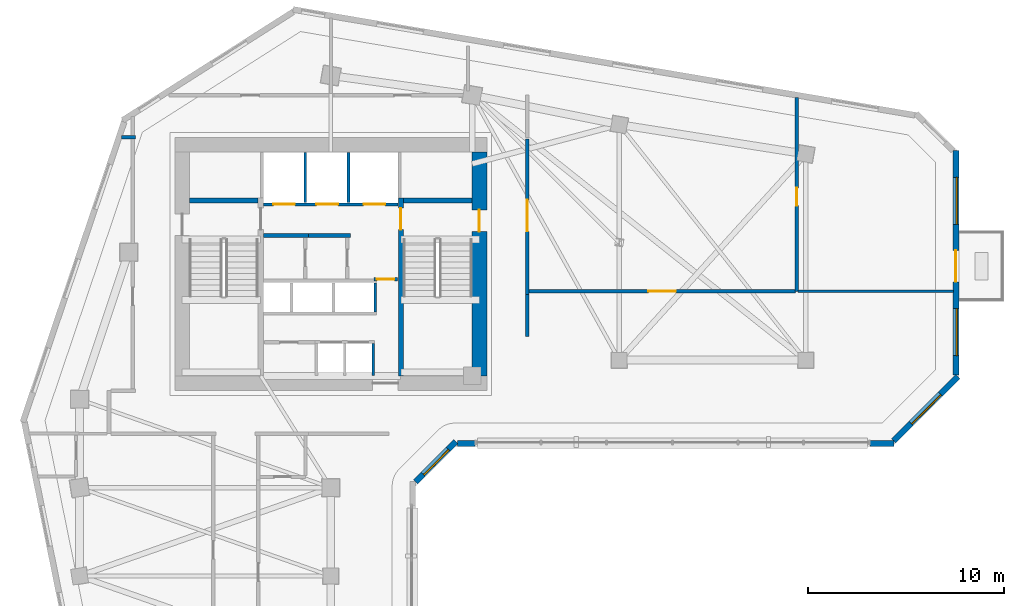
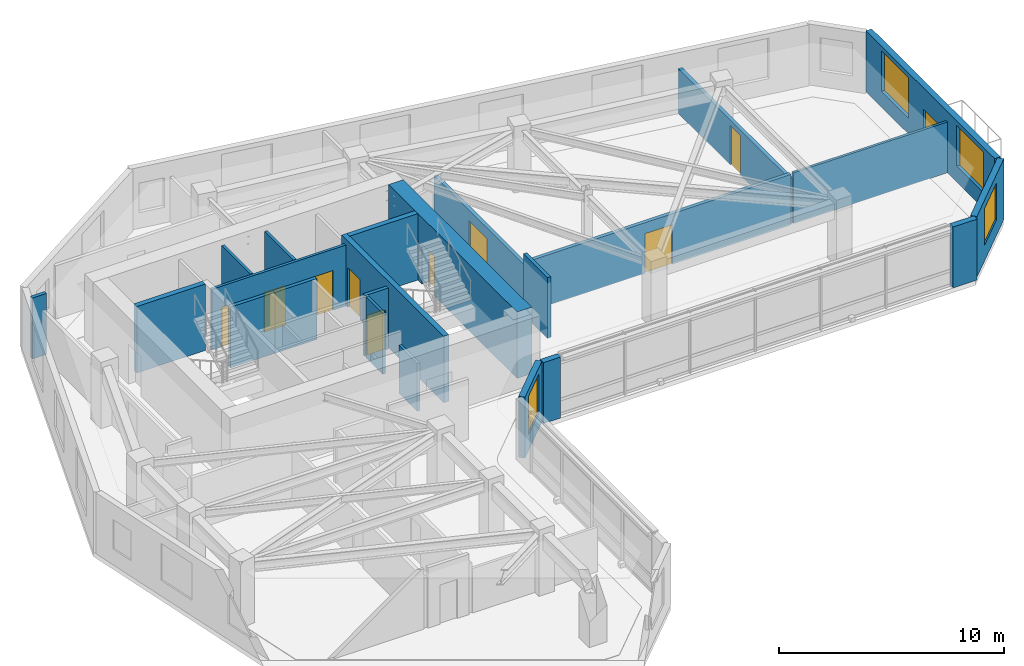
# One storey, part 6 of 10: 23 walls, 10 doors, 4 windows, 14 openings.
"""IFC4 building model written with IfcOpenShell, lengths in metres."""

from ifc_helpers import new_model, si_unit, direction, frame, frame_2d, origin, place, context, subcontext, project, spatial, rectangle, extrude, source, transform, mapped, material, layer, layer_set, type_object, element, fill, save


model = new_model("IFC4")

# Units and contexts
model_context = context("Model", 3, precision=1e-05, world=origin(), true_north=direction((0.0, 1.0)))
body_context = subcontext(model_context, "Body", "Model", "MODEL_VIEW")
ifc_project = project(units=[si_unit("LENGTHUNIT", "METRE"), si_unit("AREAUNIT", "SQUARE_METRE"), si_unit("VOLUMEUNIT", "CUBIC_METRE"), si_unit("PLANEANGLEUNIT", "RADIAN"), si_unit("MASSUNIT", "GRAM", prefix="KILO")], contexts=[model_context])

# Site, building, storey
site_placement = place(None, origin())
site = spatial("IfcSite", under=ifc_project, at=site_placement, CompositionType="ELEMENT")
building_placement = place(site_placement, origin())
building = spatial("IfcBuilding", under=site, at=building_placement, Name="Calvemar Wedge Station Tower", CompositionType="ELEMENT")
storey_placement = place(building_placement, frame((0.0, 0.0, 168.199951171875)))
storey = spatial("IfcBuildingStorey", under=building, at=storey_placement, Name="L42", CompositionType="ELEMENT", Elevation=168.199951171875)

# Wall, opening, door
ifc_material_1 = material(Name="Concrete C50", Category="concrete")
ifc_layer_1 = layer(ifc_material_1, 0.260009765625)
ifc_layer_set_1 = layer_set([ifc_layer_1], Name="Concrete C50")
wall_type_1 = type_object("IfcWallType", Name="SW-CORE-260", PredefinedType="SHEAR", material=ifc_layer_set_1)
wall_1_placement = place(storey_placement, frame((27.3701171875, 34.199951171875, 0.0), z_axis=(0.0, 0.0, 1.0), x_axis=(0.0, 1.0, 0.0)))
wall_1 = element("IfcWall", 1, at=wall_1_placement, inside=storey, type_object=wall_type_1, Name="Storey L42 Core Shear Wall SPINE-E", PredefinedType="SHEAR", context=body_context, shape_type="SweptSolid", body=[
    extrude(rectangle(XDim=9.06005859375, YDim=0.260009765625, at=frame_2d((4.530029296875, 0.0))), origin(), (0.0, 0.0, 1.0), 3.60009765625),
])
shared_shape_1 = source(origin(), body_context, "Body", "SweptSolid", [
    extrude(rectangle(XDim=1.10009765625, YDim=2.14990234375, at=frame_2d((0.550048828125, 1.074951171875))), frame((0.0, 0.14013671875, 0.0), z_axis=(0.0, -1.0, 0.0), x_axis=(1.0, 0.0, 0.0)), (0.0, 0.0, 1.0), 0.280029296875),
])
opening_1_placement = place(wall_1_placement, frame((7.449951171875, 0.0, 0.0)))
opening_1 = element("IfcOpeningElement", 2, at=opening_1_placement, cuts=wall_1, Name="Opening FD-90", PredefinedType="OPENING", context=body_context, shape_type="MappedRepresentation", body=[
    mapped(shared_shape_1, transform((0.0, 0.0, 0.0), scale=1.0)),
])
ifc_material_2 = material(Name="Galvanized fire-rated steel door leaf P-90", Category="steel")
door_type_1 = type_object("IfcDoorType", Name="DR-FD90-1100", OperationType="NOTDEFINED", PredefinedType="DOOR", material=ifc_material_2)
shared_shape_2 = source(origin(), body_context, "Body", "SweptSolid", [
    extrude(rectangle(XDim=1.10009765625, YDim=2.14990234375, at=frame_2d((0.550048828125, 1.074951171875))), frame((0.0, 0.02490234375, 0.0), z_axis=(0.0, -1.0, 0.0), x_axis=(1.0, 0.0, 0.0)), (0.0, 0.0, 1.0), 0.050048828125),
])
door_1_placement = place(opening_1_placement, origin())
door_1 = element("IfcDoor", 3, at=door_1_placement, inside=storey, type_object=door_type_1, Name="L42 FF Lobby to Stair ST-C2 Door", OperationType="SINGLE_SWING_RIGHT", OverallHeight=2.14990234375, OverallWidth=1.10009765625, PredefinedType="DOOR", context=body_context, shape_type="MappedRepresentation", body=[
    mapped(shared_shape_2, transform((0.0, 0.0, 0.0), scale=1.0)),
])
fill(opening_1, door_1)

# Walls
for number, where, z_axis, x_axis, name in (
    (4, (16.60009765625, 43.1298828125, 0.0), (0.0, 0.0, 1.0), (1.0, 0.0, 0.0), "Storey L42 Core Shear Wall STC1-N"),
    (5, (27.5, 43.1298828125, 0.0), (0.0, 0.0, 1.0), (1.0, 0.0, 0.0), "Storey L42 Core Shear Wall STC2-N"),
):
    element("IfcWall", number, at=place(storey_placement, frame(where, z_axis=z_axis, x_axis=x_axis)), inside=storey, type_object=wall_type_1, Name=name, PredefinedType="SHEAR", context=body_context, shape_type="SweptSolid", body=[
        extrude(rectangle(XDim=3.5, YDim=0.260009765625, at=frame_2d((1.75, 0.0))), origin(), (0.0, 0.0, 1.0), 3.60009765625),
    ])

# Wall, opening, door
ifc_material_3 = material(Name="Concrete C70", Category="concrete")
ifc_layer_2 = layer(ifc_material_3, 0.75)
ifc_layer_set_2 = layer_set([ifc_layer_2], Name="Concrete C70")
wall_type_2 = type_object("IfcWallType", Name="SW-CORE-750", PredefinedType="SHEAR", material=ifc_layer_set_2)
wall_2_placement = place(storey_placement, frame((31.375, 34.199951171875, 0.0), z_axis=(0.0, 0.0, 1.0), x_axis=(0.0, 1.0, 0.0)))
wall_2 = element("IfcWall", 6, at=wall_2_placement, inside=storey, type_object=wall_type_2, Name="Storey L42 Core Shear Wall E", PredefinedType="SHEAR", context=body_context, shape_type="SweptSolid", body=[
    extrude(rectangle(XDim=11.400146484375, YDim=0.75, at=frame_2d((5.7001953125, 0.0))), origin(), (0.0, 0.0, 1.0), 3.60009765625),
])
shared_shape_3 = source(origin(), body_context, "Body", "SweptSolid", [
    extrude(rectangle(XDim=1.10009765625, YDim=2.14990234375, at=frame_2d((0.550048828125, 1.074951171875))), frame((0.0, 0.385009765625, 0.0), z_axis=(0.0, -1.0, 0.0), x_axis=(1.0, 0.0, 0.0)), (0.0, 0.0, 1.0), 0.77001953125),
])
opening_2_placement = place(wall_2_placement, frame((7.35009765625, 0.0, 0.0)))
opening_2 = element("IfcOpeningElement", 7, at=opening_2_placement, cuts=wall_2, Name="Opening FD-90", PredefinedType="OPENING", context=body_context, shape_type="MappedRepresentation", body=[
    mapped(shared_shape_3, transform((0.0, 0.0, 0.0), scale=1.0)),
])
door_2_placement = place(opening_2_placement, origin())
door_2 = element("IfcDoor", 8, at=door_2_placement, inside=storey, type_object=door_type_1, Name="L42 East Corridor to Exit Stair ST-C2 Door", OperationType="SINGLE_SWING_RIGHT", OverallHeight=2.14990234375, OverallWidth=1.10009765625, PredefinedType="DOOR", context=body_context, shape_type="MappedRepresentation", body=[
    mapped(shared_shape_2, transform((0.0, 0.0, 0.0), scale=1.0)),
])
fill(opening_2, door_2)

# Walls
ifc_material_4 = material(Name="Double-stud fire-rated corridor partition")
ifc_layer_3 = layer(ifc_material_4, 0.179931640625)
ifc_layer_set_3 = layer_set([ifc_layer_3], Name="Double-stud fire-rated corridor partition")
wall_type_3 = type_object("IfcWallType", Name="W-CORR-180", PredefinedType="PARTITIONING", material=ifc_layer_set_3)
wall_3_placement = place(storey_placement, frame((22.659912109375, 41.35009765625, 0.0), z_axis=(0.0, 0.0, 1.0), x_axis=(-1.0, 0.0, 0.0)))
element("IfcWall", 9, at=wall_3_placement, inside=storey, type_object=wall_type_3, Name="Storey L42 Interior Partition WL-L42-001", PredefinedType="PARTITIONING", context=body_context, shape_type="SweptSolid", body=[
    extrude(rectangle(XDim=2.280029296875, YDim=0.179931640625, at=frame_2d((1.14013671875, 0.0))), origin(), (0.0, 0.0, 1.0), 3.300048828125),
])
wall_4_placement = place(storey_placement, frame((24.81005859375, 41.35009765625, 0.0), z_axis=(0.0, 0.0, 1.0), x_axis=(-1.0, 0.0, 0.0)))
element("IfcWall", 10, at=wall_4_placement, inside=storey, type_object=wall_type_3, Name="Storey L42 Interior Partition WL-L42-002", PredefinedType="PARTITIONING", context=body_context, shape_type="SweptSolid", body=[
    extrude(rectangle(XDim=2.14794921875, YDim=0.179931640625, at=frame_2d((1.073974609375, 0.0))), origin(), (0.0, 0.0, 1.0), 3.300048828125),
])

# Wall, opening, door
wall_5_placement = place(storey_placement, frame((27.199951171875, 39.1298828125, 0.0), z_axis=(0.0, 0.0, 1.0), x_axis=(-1.0, 0.0, 0.0)))
wall_5 = element("IfcWall", 11, at=wall_5_placement, inside=storey, type_object=wall_type_3, Name="Storey L42 Interior Partition WL-L42-005", PredefinedType="PARTITIONING", context=body_context, shape_type="SweptSolid", body=[
    extrude(rectangle(XDim=1.2099609375, YDim=0.179931640625, at=frame_2d((0.60498046875, 0.0))), origin(), (0.0, 0.0, 1.0), 3.300048828125),
])
shared_shape_4 = source(origin(), body_context, "Body", "SweptSolid", [
    extrude(rectangle(XDim=0.89990234375, YDim=2.14990234375, at=frame_2d((0.449951171875, 1.074951171875))), frame((0.0, 0.10009765625, 0.0), z_axis=(0.0, -1.0, 0.0), x_axis=(1.0, 0.0, 0.0)), (0.0, 0.0, 1.0), 0.199951171875),
])
opening_3_placement = place(wall_5_placement, frame((0.155029296875, 0.0, 0.0)))
opening_3 = element("IfcOpeningElement", 12, at=opening_3_placement, cuts=wall_5, Name="Opening FD-60", PredefinedType="OPENING", context=body_context, shape_type="MappedRepresentation", body=[
    mapped(shared_shape_4, transform((0.0, 0.0, 0.0), scale=1.0)),
])
ifc_material_5 = material(Name="Fire-rated acoustic timber-core entrance door EI 60", Category="wood")
door_type_2 = type_object("IfcDoorType", Name="DR-FD60-900", OperationType="NOTDEFINED", PredefinedType="DOOR", material=ifc_material_5)
shared_shape_5 = source(origin(), body_context, "Body", "SweptSolid", [
    extrude(rectangle(XDim=0.89990234375, YDim=2.14990234375, at=frame_2d((0.449951171875, 1.074951171875))), frame((0.0, 0.02490234375, 0.0), z_axis=(0.0, -1.0, 0.0), x_axis=(1.0, 0.0, 0.0)), (0.0, 0.0, 1.0), 0.050048828125),
])
door_3_placement = place(opening_3_placement, origin())
door_3 = element("IfcDoor", 13, at=door_3_placement, inside=storey, type_object=door_type_2, Name="L42 Core Service Lobby Door", OperationType="SINGLE_SWING_LEFT", OverallHeight=2.14990234375, OverallWidth=0.89990234375, PredefinedType="DOOR", context=body_context, shape_type="MappedRepresentation", body=[
    mapped(shared_shape_5, transform((0.0, 0.0, 0.0), scale=1.0)),
])
fill(opening_3, door_3)

# Wall
wall_6_placement = place(storey_placement, frame((13.860107421875, 46.35009765625, 0.0), z_axis=(0.0, 0.0, 1.0), x_axis=(-1.0, 0.0, 0.0)))
element("IfcWall", 14, at=wall_6_placement, inside=storey, type_object=wall_type_3, Name="Storey L42 Interior Partition WL-L42-013", PredefinedType="PARTITIONING", context=body_context, shape_type="SweptSolid", body=[
    extrude(rectangle(XDim=0.73486328125, YDim=0.179931640625, at=frame_2d((0.367431640625, 0.0))), origin(), (0.0, 0.0, 1.0), 3.300048828125),
])

# Wall, opening, door
wall_7_placement = place(storey_placement, frame((33.800048828125, 46.256103515625, 0.0), z_axis=(0.0, 0.0, 1.0), x_axis=(0.0, -1.0, 0.0)))
wall_7 = element("IfcWall", 15, at=wall_7_placement, inside=storey, type_object=wall_type_3, Name="Storey L42 Interior Partition WL-L42-017", PredefinedType="PARTITIONING", context=body_context, shape_type="SweptSolid", body=[
    extrude(rectangle(XDim=7.916015625, YDim=0.179931640625, at=frame_2d((3.9580078125, 0.0))), origin(), (0.0, 0.0, 1.0), 2.738037109375),
])
shared_shape_6 = source(origin(), body_context, "Body", "SweptSolid", [
    extrude(rectangle(XDim=1.60009765625, YDim=2.14990234375, at=frame_2d((0.800048828125, 1.074951171875))), frame((0.0, 0.10009765625, 0.0), z_axis=(0.0, -1.0, 0.0), x_axis=(1.0, 0.0, 0.0)), (0.0, 0.0, 1.0), 0.199951171875),
])
opening_4_placement = place(wall_7_placement, frame((3.0966796875, 0.0, 0.0)))
opening_4 = element("IfcOpeningElement", 16, at=opening_4_placement, cuts=wall_7, Name="Opening DD-160", PredefinedType="OPENING", context=body_context, shape_type="MappedRepresentation", body=[
    mapped(shared_shape_6, transform((0.0, 0.0, 0.0), scale=1.0)),
])
ifc_material_6 = material(Name="Double-leaf fire-rated lobby door EI 60")
door_type_3 = type_object("IfcDoorType", Name="DR-DBL-1600", OperationType="DOUBLE_DOOR_SINGLE_SWING", PredefinedType="DOOR", material=ifc_material_6)
shared_shape_7 = source(origin(), body_context, "Body", "SweptSolid", [
    extrude(rectangle(XDim=1.60009765625, YDim=2.14990234375, at=frame_2d((0.800048828125, 1.074951171875))), frame((0.0, 0.02490234375, 0.0), z_axis=(0.0, -1.0, 0.0), x_axis=(1.0, 0.0, 0.0)), (0.0, 0.0, 1.0), 0.050048828125),
])
door_4_placement = place(opening_4_placement, origin())
door_4 = element("IfcDoor", 17, at=door_4_placement, inside=storey, type_object=door_type_3, Name="L42 Presidential Sky Ballroom Door", OperationType="SINGLE_SWING_RIGHT", OverallHeight=2.14990234375, OverallWidth=1.60009765625, PredefinedType="DOOR", context=body_context, shape_type="MappedRepresentation", body=[
    mapped(shared_shape_7, transform((0.0, 0.0, 0.0), scale=1.0)),
])
fill(opening_4, door_4)

# Wall
wall_8_placement = place(storey_placement, frame((33.800048828125, 38.337890625, 0.0), z_axis=(0.0, 0.0, 1.0), x_axis=(0.0, -1.0, 0.0)))
element("IfcWall", 18, at=wall_8_placement, inside=storey, type_object=wall_type_3, Name="Storey L42 Interior Partition WL-L42-018", PredefinedType="PARTITIONING", context=body_context, shape_type="SweptSolid", body=[
    extrude(rectangle(XDim=2.137939453125, YDim=0.179931640625, at=frame_2d((1.06884765625, 0.0))), origin(), (0.0, 0.0, 1.0), 3.300048828125),
])

# Wall, opening, door
wall_9_placement = place(storey_placement, frame((47.534912109375, 48.388671875, 0.0), z_axis=(0.0, 0.0, 1.0), x_axis=(0.0, -1.0, 0.0)))
wall_9 = element("IfcWall", 19, at=wall_9_placement, inside=storey, type_object=wall_type_3, Name="Storey L42 Interior Partition WL-L42-022", PredefinedType="PARTITIONING", context=body_context, shape_type="SweptSolid", body=[
    extrude(rectangle(XDim=9.888671875, YDim=0.179931640625, at=frame_2d((4.9443359375, 0.0))), origin(), (0.0, 0.0, 1.0), 2.442138671875),
])
opening_5_placement = place(wall_9_placement, frame((4.61474609375, 0.0, 0.0)))
opening_5 = element("IfcOpeningElement", 20, at=opening_5_placement, cuts=wall_9, Name="Opening FD-60", PredefinedType="OPENING", context=body_context, shape_type="MappedRepresentation", body=[
    mapped(shared_shape_4, transform((0.0, 0.0, 0.0), scale=1.0)),
])
door_5_placement = place(opening_5_placement, origin())
door_5 = element("IfcDoor", 21, at=door_5_placement, inside=storey, type_object=door_type_2, Name="L42 Hotel Banquet Kitchen Door", OperationType="SINGLE_SWING_LEFT", OverallHeight=2.14990234375, OverallWidth=0.89990234375, PredefinedType="DOOR", context=body_context, shape_type="MappedRepresentation", body=[
    mapped(shared_shape_5, transform((0.0, 0.0, 0.0), scale=1.0)),
])
fill(opening_5, door_5)

wall_10_placement = place(storey_placement, frame((47.468505859375, 38.5, 0.0), z_axis=(0.0, 0.0, 1.0), x_axis=(-1.0, 0.0, 0.0)))
wall_10 = element("IfcWall", 22, at=wall_10_placement, inside=storey, type_object=wall_type_3, Name="Storey L42 Interior Partition WL-L42-023", PredefinedType="PARTITIONING", context=body_context, shape_type="SweptSolid", body=[
    extrude(rectangle(XDim=13.574462890625, YDim=0.179931640625, at=frame_2d((6.787109375, 0.0))), origin(), (0.0, 0.0, 1.0), 2.738037109375),
])
shared_shape_8 = source(origin(), body_context, "Body", "SweptSolid", [
    extrude(rectangle(XDim=1.39990234375, YDim=2.14990234375, at=frame_2d((0.699951171875, 1.074951171875))), frame((0.0, 0.10009765625, 0.0), z_axis=(0.0, -1.0, 0.0), x_axis=(1.0, 0.0, 0.0)), (0.0, 0.0, 1.0), 0.199951171875),
])
opening_6_placement = place(wall_10_placement, frame((6.08740234375, 0.0, 0.0)))
opening_6 = element("IfcOpeningElement", 23, at=opening_6_placement, cuts=wall_10, Name="Opening DD-140", PredefinedType="OPENING", context=body_context, shape_type="MappedRepresentation", body=[
    mapped(shared_shape_8, transform((0.0, 0.0, 0.0), scale=1.0)),
])
ifc_material_7 = material(Name="Double-leaf corridor acoustic fire door EI 60")
door_type_4 = type_object("IfcDoorType", Name="DR-DBL-1400", OperationType="DOUBLE_DOOR_SINGLE_SWING", PredefinedType="DOOR", material=ifc_material_7)
shared_shape_9 = source(origin(), body_context, "Body", "SweptSolid", [
    extrude(rectangle(XDim=1.39990234375, YDim=2.14990234375, at=frame_2d((0.699951171875, 1.074951171875))), frame((0.0, 0.02490234375, 0.0), z_axis=(0.0, -1.0, 0.0), x_axis=(1.0, 0.0, 0.0)), (0.0, 0.0, 1.0), 0.050048828125),
])
door_6_placement = place(opening_6_placement, origin())
door_6 = element("IfcDoor", 24, at=door_6_placement, inside=storey, type_object=door_type_4, Name="L42 Presidential Cocktail Lounge Door", OperationType="SINGLE_SWING_RIGHT", OverallHeight=2.14990234375, OverallWidth=1.39990234375, PredefinedType="DOOR", context=body_context, shape_type="MappedRepresentation", body=[
    mapped(shared_shape_9, transform((0.0, 0.0, 0.0), scale=1.0)),
])
fill(opening_6, door_6)

# Wall, opening, window
ifc_material_8 = material(Name="Precast concrete C45", Category="concrete")
ifc_layer_4 = layer(ifc_material_8, 0.300048828125)
ifc_layer_set_4 = layer_set([ifc_layer_4], Name="Precast concrete C45")
wall_type_4 = type_object("IfcWallType", Name="W-EXT-GFRC-300", PredefinedType="SOLIDWALL", material=ifc_layer_set_4)
wall_11_placement = place(storey_placement, frame((28.115966796875, 28.7919921875, 0.0), z_axis=(0.0, 0.0, 1.0), x_axis=(0.707064797706, 0.707148762175, 0.0)))
wall_11 = element("IfcWall", 25, at=wall_11_placement, inside=storey, type_object=wall_type_4, Name="Storey L42 Bronze GFRC Exterior Wall 5", PredefinedType="SOLIDWALL", context=body_context, shape_type="SweptSolid", body=[
    extrude(rectangle(XDim=2.90771484375, YDim=0.300048828125, at=frame_2d((1.453857421875, 0.0))), origin(), (0.0, 0.0, 1.0), 3.300048828125),
])
shared_shape_10 = source(origin(), body_context, "Body", "SweptSolid", [
    extrude(rectangle(XDim=1.800048828125, YDim=2.10009765625, at=frame_2d((0.89990234375, 1.050048828125))), frame((0.0, 0.16015625, 0.0), z_axis=(0.0, -1.0, 0.0), x_axis=(1.0, 0.0, 0.0)), (0.0, 0.0, 1.0), 0.320068359375),
])
opening_7_placement = place(wall_11_placement, frame((0.553955078125, 0.0, 0.85009765625)))
opening_7 = element("IfcOpeningElement", 26, at=opening_7_placement, cuts=wall_11, Name="Opening W2", PredefinedType="OPENING", context=body_context, shape_type="MappedRepresentation", body=[
    mapped(shared_shape_10, transform((0.0, 0.0, 0.0), scale=1.0)),
])
ifc_material_9 = material(Name="Low-E laminated insulated glass", Category="glass")
window_type_1 = type_object("IfcWindowType", Name="WIN-EXT-2", PartitioningType="SINGLE_PANEL", PredefinedType="WINDOW", material=ifc_material_9)
shared_shape_11 = source(origin(), body_context, "Body", "SweptSolid", [
    extrude(rectangle(XDim=1.800048828125, YDim=2.10009765625, at=frame_2d((0.89990234375, 1.050048828125))), frame((0.0, -0.014892578125, 0.0), z_axis=(0.0, -1.0, 0.0), x_axis=(1.0, 0.0, 0.0)), (0.0, 0.0, 1.0), 0.06005859375),
])
window_1_placement = place(opening_7_placement, origin())
window_1 = element("IfcWindow", 27, at=window_1_placement, inside=storey, type_object=window_type_1, Name="Storey L42 Recessed Window 5.1", OverallHeight=2.10009765625, OverallWidth=1.800048828125, PartitioningType="SINGLE_PANEL", PredefinedType="WINDOW", context=body_context, shape_type="MappedRepresentation", body=[
    mapped(shared_shape_11, transform((0.0, 0.0, 0.0), scale=1.0)),
])
fill(opening_7, window_1)

# Walls
wall_12_placement = place(storey_placement, frame((30.260986328125, 30.741943359375, 0.0), z_axis=(0.0, 0.0, 1.0), x_axis=(1.0, 0.0, 0.0)))
element("IfcWall", 28, at=wall_12_placement, inside=storey, type_object=wall_type_4, Name="Storey L42 Bronze GFRC Corner Pier 6A", PredefinedType="SOLIDWALL", context=body_context, shape_type="SweptSolid", body=[
    extrude(rectangle(XDim=0.88232421875, YDim=0.300048828125, at=frame_2d((0.441162109375, 0.0))), origin(), (0.0, 0.0, 1.0), 3.300048828125),
])
wall_13_placement = place(storey_placement, frame((51.260498046875, 30.741943359375, 0.0), z_axis=(0.0, 0.0, 1.0), x_axis=(1.0, 0.0, 0.0)))
element("IfcWall", 29, at=wall_13_placement, inside=storey, type_object=wall_type_4, Name="Storey L42 Bronze GFRC Corner Pier 6B", PredefinedType="SOLIDWALL", context=body_context, shape_type="SweptSolid", body=[
    extrude(rectangle(XDim=1.227294921875, YDim=0.300048828125, at=frame_2d((0.61376953125, 0.0))), origin(), (0.0, 0.0, 1.0), 3.300048828125),
])

# Wall, opening, window
wall_14_placement = place(storey_placement, frame((52.475830078125, 30.8798828125, 0.0), z_axis=(0.0, 0.0, 1.0), x_axis=(0.707106781187, 0.707106781187, 0.0)))
wall_14 = element("IfcWall", 30, at=wall_14_placement, inside=storey, type_object=wall_type_4, Name="Storey L42 Bronze GFRC Exterior Wall 7", PredefinedType="SOLIDWALL", context=body_context, shape_type="SweptSolid", body=[
    extrude(rectangle(XDim=4.638916015625, YDim=0.300048828125, at=frame_2d((2.3193359375, 0.0))), origin(), (0.0, 0.0, 1.0), 3.300048828125),
])
shared_shape_12 = source(origin(), body_context, "Body", "SweptSolid", [
    extrude(rectangle(XDim=2.10009765625, YDim=2.0, at=frame_2d((1.050048828125, 1.0))), frame((0.0, 0.16015625, 0.0), z_axis=(0.0, -1.0, 0.0), x_axis=(1.0, 0.0, 0.0)), (0.0, 0.0, 1.0), 0.320068359375),
])
opening_8_placement = place(wall_14_placement, frame((1.26904296875, 0.0, 0.85009765625)))
opening_8 = element("IfcOpeningElement", 31, at=opening_8_placement, cuts=wall_14, Name="Opening W4", PredefinedType="OPENING", context=body_context, shape_type="MappedRepresentation", body=[
    mapped(shared_shape_12, transform((0.0, 0.0, 0.0), scale=1.0)),
])
window_type_2 = type_object("IfcWindowType", Name="WIN-EXT-4", PartitioningType="SINGLE_PANEL", PredefinedType="WINDOW", material=ifc_material_9)
shared_shape_13 = source(origin(), body_context, "Body", "SweptSolid", [
    extrude(rectangle(XDim=2.10009765625, YDim=2.0, at=frame_2d((1.050048828125, 1.0))), frame((0.0, -0.014892578125, 0.0), z_axis=(0.0, -1.0, 0.0), x_axis=(1.0, 0.0, 0.0)), (0.0, 0.0, 1.0), 0.06005859375),
])
window_2_placement = place(opening_8_placement, origin())
window_2 = element("IfcWindow", 32, at=window_2_placement, inside=storey, type_object=window_type_2, Name="Storey L42 Recessed Window 7.1", OverallHeight=2.0, OverallWidth=2.10009765625, PartitioningType="SINGLE_PANEL", PredefinedType="WINDOW", context=body_context, shape_type="MappedRepresentation", body=[
    mapped(shared_shape_13, transform((0.0, 0.0, 0.0), scale=1.0)),
])
fill(opening_8, window_2)

# Wall, openings, windows, door
wall_15_placement = place(storey_placement, frame((55.64990234375, 34.249267578125, 0.0), z_axis=(0.0, 0.0, 1.0), x_axis=(0.0, 1.0, 0.0)))
wall_15 = element("IfcWall", 33, at=wall_15_placement, inside=storey, type_object=wall_type_4, Name="Storey L42 Bronze GFRC Exterior Wall 8", PredefinedType="SOLIDWALL", context=body_context, shape_type="SweptSolid", body=[
    extrude(rectangle(XDim=11.4306640625, YDim=0.300048828125, at=frame_2d((5.71533203125, 0.0))), origin(), (0.0, 0.0, 1.0), 3.300048828125),
])
shared_shape_14 = source(origin(), body_context, "Body", "SweptSolid", [
    extrude(rectangle(XDim=1.60009765625, YDim=2.14990234375, at=frame_2d((0.800048828125, 1.074951171875))), frame((0.0, 0.16015625, 0.0), z_axis=(0.0, -1.0, 0.0), x_axis=(1.0, 0.0, 0.0)), (0.0, 0.0, 1.0), 0.320068359375),
])
opening_9_placement = place(wall_15_placement, frame((4.742919921875, 0.0, 0.0)))
opening_9 = element("IfcOpeningElement", 34, at=opening_9_placement, cuts=wall_15, Name="Opening DT1", PredefinedType="OPENING", context=body_context, shape_type="MappedRepresentation", body=[
    mapped(shared_shape_14, transform((0.0, 0.0, 0.0), scale=1.0)),
])
shared_shape_15 = source(origin(), body_context, "Body", "SweptSolid", [
    extrude(rectangle(XDim=2.39990234375, YDim=2.199951171875, at=frame_2d((1.199951171875, 1.10009765625))), frame((0.0, 0.16015625, 0.0), z_axis=(0.0, -1.0, 0.0), x_axis=(1.0, 0.0, 0.0)), (0.0, 0.0, 1.0), 0.320068359375),
])
opening_10_placement = place(wall_15_placement, frame((0.97509765625, 0.0, 0.85009765625)))
opening_10 = element("IfcOpeningElement", 35, at=opening_10_placement, cuts=wall_15, Name="Opening W1", PredefinedType="OPENING", context=body_context, shape_type="MappedRepresentation", body=[
    mapped(shared_shape_15, transform((0.0, 0.0, 0.0), scale=1.0)),
])
opening_11_placement = place(wall_15_placement, frame((7.6669921875, 0.0, 0.85009765625)))
opening_11 = element("IfcOpeningElement", 36, at=opening_11_placement, cuts=wall_15, Name="Opening W1", PredefinedType="OPENING", context=body_context, shape_type="MappedRepresentation", body=[
    mapped(shared_shape_15, transform((0.0, 0.0, 0.0), scale=1.0)),
])
window_type_3 = type_object("IfcWindowType", Name="WIN-EXT-1", PartitioningType="SINGLE_PANEL", PredefinedType="WINDOW", material=ifc_material_9)
shared_shape_16 = source(origin(), body_context, "Body", "SweptSolid", [
    extrude(rectangle(XDim=2.39990234375, YDim=2.199951171875, at=frame_2d((1.199951171875, 1.10009765625))), frame((0.0, -0.014892578125, 0.0), z_axis=(0.0, -1.0, 0.0), x_axis=(1.0, 0.0, 0.0)), (0.0, 0.0, 1.0), 0.06005859375),
])
window_3_placement = place(opening_10_placement, origin())
window_3 = element("IfcWindow", 37, at=window_3_placement, inside=storey, type_object=window_type_3, Name="Storey L42 Recessed Window 8.1", OverallHeight=2.199951171875, OverallWidth=2.39990234375, PartitioningType="SINGLE_PANEL", PredefinedType="WINDOW", context=body_context, shape_type="MappedRepresentation", body=[
    mapped(shared_shape_16, transform((0.0, 0.0, 0.0), scale=1.0)),
])
fill(opening_10, window_3)
window_4_placement = place(opening_11_placement, origin())
window_4 = element("IfcWindow", 38, at=window_4_placement, inside=storey, type_object=window_type_3, Name="Storey L42 Recessed Window 8.2", OverallHeight=2.199951171875, OverallWidth=2.39990234375, PartitioningType="SINGLE_PANEL", PredefinedType="WINDOW", context=body_context, shape_type="MappedRepresentation", body=[
    mapped(shared_shape_16, transform((0.0, 0.0, 0.0), scale=1.0)),
])
fill(opening_11, window_4)
ifc_material_10 = material(Name="Anodised aluminium 6063-T6", Category="aluminium")
door_type_5 = type_object("IfcDoorType", Name="DR-TERR-1600", OperationType="DOUBLE_DOOR_SLIDING", PredefinedType="DOOR", material=ifc_material_10)
shared_shape_17 = source(origin(), body_context, "Body", "SweptSolid", [
    extrude(rectangle(XDim=1.60009765625, YDim=2.14990234375, at=frame_2d((0.800048828125, 1.074951171875))), frame((0.0, 0.02490234375, 0.0), z_axis=(0.0, -1.0, 0.0), x_axis=(1.0, 0.0, 0.0)), (0.0, 0.0, 1.0), 0.050048828125),
])
door_7_placement = place(opening_9_placement, origin())
door_7 = element("IfcDoor", 39, at=door_7_placement, inside=storey, type_object=door_type_5, Name="Storey L42 Spiral Terrace Door", OperationType="DOUBLE_DOOR_SLIDING", OverallHeight=2.14990234375, OverallWidth=1.60009765625, PredefinedType="DOOR", context=body_context, shape_type="MappedRepresentation", body=[
    mapped(shared_shape_17, transform((0.0, 0.0, 0.0), scale=1.0)),
])
fill(opening_9, door_7)

# Wall, openings, doors
ifc_material_11 = material(Name="Reinforced concrete blockwork lift shaft wall", Category="masonry")
ifc_layer_5 = layer(ifc_material_11, 0.139892578125)
ifc_layer_set_5 = layer_set([ifc_layer_5], Name="Reinforced concrete blockwork lift shaft wall")
wall_type_5 = type_object("IfcWallType", Name="W-LIFT-160", PredefinedType="SOLIDWALL", material=ifc_layer_set_5)
wall_16_placement = place(storey_placement, frame((20.3701171875, 42.929931640625, 0.0), z_axis=(0.0, 0.0, 1.0), x_axis=(1.0, 0.0, 0.0)))
wall_16 = element("IfcWall", 40, at=wall_16_placement, inside=storey, type_object=wall_type_5, Name="Storey L42 Firefighting and Service Lift Shaft Front Wall", PredefinedType="SOLIDWALL", context=body_context, shape_type="SweptSolid", body=[
    extrude(rectangle(XDim=6.85986328125, YDim=0.139892578125, at=frame_2d((3.429931640625, 0.0))), origin(), (0.0, 0.0, 1.0), 3.300048828125),
])
shared_shape_18 = source(origin(), body_context, "Body", "SweptSolid", [
    extrude(rectangle(XDim=1.10009765625, YDim=2.14990234375, at=frame_2d((0.550048828125, 1.074951171875))), frame((0.0, 0.080078125, 0.0), z_axis=(0.0, -1.0, 0.0), x_axis=(1.0, 0.0, 0.0)), (0.0, 0.0, 1.0), 0.159912109375),
])
opening_12_placement = place(wall_16_placement, frame((0.5, 0.0, 0.0)))
opening_12 = element("IfcOpeningElement", 41, at=opening_12_placement, cuts=wall_16, Name="Opening LD-FF", PredefinedType="OPENING", context=body_context, shape_type="MappedRepresentation", body=[
    mapped(shared_shape_18, transform((0.0, 0.0, 0.0), scale=1.0)),
])
opening_13_placement = place(wall_16_placement, frame((2.699951171875, 0.0, 0.0)))
opening_13 = element("IfcOpeningElement", 42, at=opening_13_placement, cuts=wall_16, Name="Opening LD-FF", PredefinedType="OPENING", context=body_context, shape_type="MappedRepresentation", body=[
    mapped(shared_shape_18, transform((0.0, 0.0, 0.0), scale=1.0)),
])
opening_14_placement = place(wall_16_placement, frame((5.10009765625, 0.0, 0.0)))
opening_14 = element("IfcOpeningElement", 43, at=opening_14_placement, cuts=wall_16, Name="Opening LD-STN", PredefinedType="OPENING", context=body_context, shape_type="MappedRepresentation", body=[
    mapped(shared_shape_18, transform((0.0, 0.0, 0.0), scale=1.0)),
])
ifc_material_12 = material(Name="Stainless steel firefighting lift sliding landing door", Category="steel")
door_type_6 = type_object("IfcDoorType", Name="DR-LD-FF-1100", OperationType="SLIDING_TO_LEFT", PredefinedType="DOOR", material=ifc_material_12)
shared_shape_19 = source(origin(), body_context, "Body", "SweptSolid", [
    extrude(rectangle(XDim=1.10009765625, YDim=2.14990234375, at=frame_2d((0.550048828125, 1.074951171875))), frame((0.0, 0.02490234375, 0.0), z_axis=(0.0, -1.0, 0.0), x_axis=(1.0, 0.0, 0.0)), (0.0, 0.0, 1.0), 0.050048828125),
])
door_8_placement = place(opening_12_placement, origin())
door_8 = element("IfcDoor", 44, at=door_8_placement, inside=storey, type_object=door_type_6, Name="L42 Lift FF-01 Sliding Landing Door", OperationType="SLIDING_TO_LEFT", OverallHeight=2.14990234375, OverallWidth=1.10009765625, PredefinedType="DOOR", context=body_context, shape_type="MappedRepresentation", body=[
    mapped(shared_shape_19, transform((0.0, 0.0, 0.0), scale=1.0)),
])
fill(opening_12, door_8)
door_9_placement = place(opening_13_placement, origin())
door_9 = element("IfcDoor", 45, at=door_9_placement, inside=storey, type_object=door_type_6, Name="L42 Lift FF-02 Sliding Landing Door", OperationType="SLIDING_TO_RIGHT", OverallHeight=2.14990234375, OverallWidth=1.10009765625, PredefinedType="DOOR", context=body_context, shape_type="MappedRepresentation", body=[
    mapped(shared_shape_19, transform((0.0, 0.0, 0.0), scale=1.0)),
])
fill(opening_13, door_9)
ifc_material_13 = material(Name="Stainless steel transit lift sliding landing door", Category="steel")
door_type_7 = type_object("IfcDoorType", Name="DR-LD-PAX-1100", OperationType="SLIDING_TO_LEFT", PredefinedType="DOOR", material=ifc_material_13)
shared_shape_20 = source(origin(), body_context, "Body", "SweptSolid", [
    extrude(rectangle(XDim=1.10009765625, YDim=2.14990234375, at=frame_2d((0.550048828125, 1.074951171875))), frame((0.0, 0.02490234375, 0.0), z_axis=(0.0, -1.0, 0.0), x_axis=(1.0, 0.0, 0.0)), (0.0, 0.0, 1.0), 0.050048828125),
])
door_10_placement = place(opening_14_placement, origin())
door_10 = element("IfcDoor", 46, at=door_10_placement, inside=storey, type_object=door_type_7, Name="L42 Lift SV-01 Sliding Landing Door", OperationType="SLIDING_TO_LEFT", OverallHeight=2.14990234375, OverallWidth=1.10009765625, PredefinedType="DOOR", context=body_context, shape_type="MappedRepresentation", body=[
    mapped(shared_shape_20, transform((0.0, 0.0, 0.0), scale=1.0)),
])
fill(opening_14, door_10)

# Walls
for number, where, z_axis, x_axis, name in (
    (47, (22.5, 43.02001953125, 0.0), (0.0, 0.0, 1.0), (0.0, 1.0, 0.0), "Storey L42 Firefighting Lift Shaft Enclosure Wall D1"),
    (48, (24.699951171875, 43.02001953125, 0.0), (0.0, 0.0, 1.0), (0.0, 1.0, 0.0), "Storey L42 Firefighting Lift Shaft Enclosure Wall D2"),
):
    element("IfcWall", number, at=place(storey_placement, frame(where, z_axis=z_axis, x_axis=x_axis)), inside=storey, type_object=wall_type_5, Name=name, PredefinedType="SOLIDWALL", context=body_context, shape_type="SweptSolid", body=[
        extrude(rectangle(XDim=2.56005859375, YDim=0.139892578125, at=frame_2d((1.280029296875, 0.0))), origin(), (0.0, 0.0, 1.0), 3.300048828125),
    ])
wall_17_placement = place(storey_placement, frame((25.9599609375, 34.219970703125, 0.0), z_axis=(0.0, 0.0, 1.0), x_axis=(0.0, 1.0, 0.0)))
element("IfcWall", 49, at=wall_17_placement, inside=storey, type_object=wall_type_5, Name="Storey L42 South Passenger Lift Shaft Wall E", PredefinedType="SOLIDWALL", context=body_context, shape_type="SweptSolid", body=[
    extrude(rectangle(XDim=1.6201171875, YDim=0.139892578125, at=frame_2d((0.81005859375, 0.0))), origin(), (0.0, 0.0, 1.0), 2.592041015625),
])
wall_18_placement = place(storey_placement, frame((26.06005859375, 37.4599609375, 0.0), z_axis=(0.0, 0.0, 1.0), x_axis=(0.0, 1.0, 0.0)))
element("IfcWall", 50, at=wall_18_placement, inside=storey, type_object=wall_type_5, Name="Storey L42 Upper Passenger Lift Shaft Wall E", PredefinedType="SOLIDWALL", context=body_context, shape_type="SweptSolid", body=[
    extrude(rectangle(XDim=1.47998046875, YDim=0.139892578125, at=frame_2d((0.739990234375, 0.0))), origin(), (0.0, 0.0, 1.0), 3.300048828125),
])
ifc_material_14 = material(Name="Insulated acoustic gypsum stud partition")
ifc_layer_6 = layer(ifc_material_14, 0.125)
ifc_layer_set_6 = layer_set([ifc_layer_6], Name="Insulated acoustic gypsum stud partition")
wall_type_6 = type_object("IfcWallType", Name="W-PART-125", PredefinedType="PARTITIONING", material=ifc_layer_set_6)
wall_19_placement = place(storey_placement, frame((55.534912109375, 38.5, 0.0), z_axis=(0.0, 0.0, 1.0), x_axis=(-1.0, 0.0, 0.0)))
element("IfcWall", 51, at=wall_19_placement, inside=storey, type_object=wall_type_6, Name="Storey L42 Interior Partition WL-L42-024", PredefinedType="PARTITIONING", context=body_context, shape_type="SweptSolid", body=[
    extrude(rectangle(XDim=7.933349609375, YDim=0.125, at=frame_2d((3.966796875, 0.0))), origin(), (0.0, 0.0, 1.0), 2.7529296875),
])

save(model, "model.ifc")
